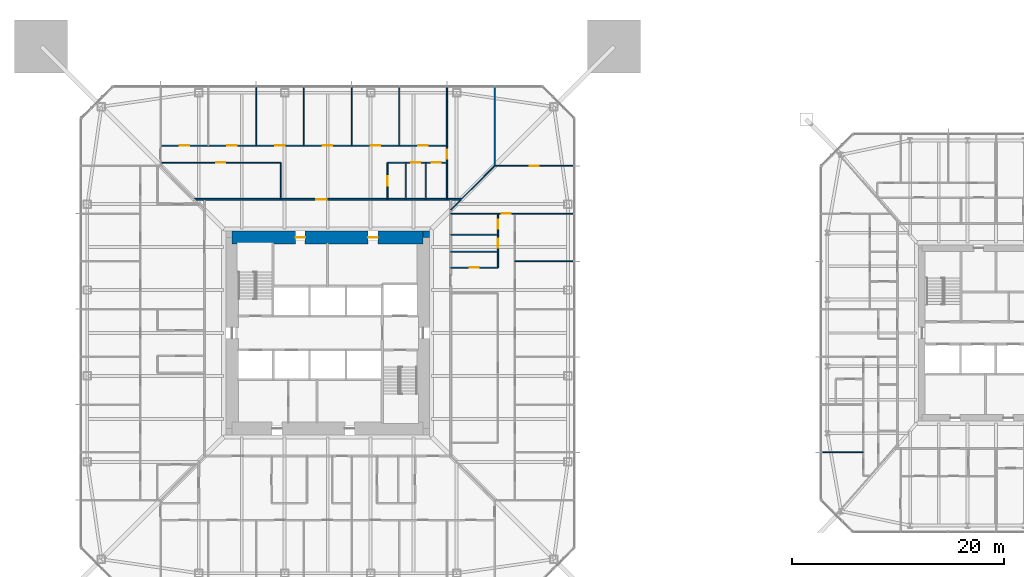
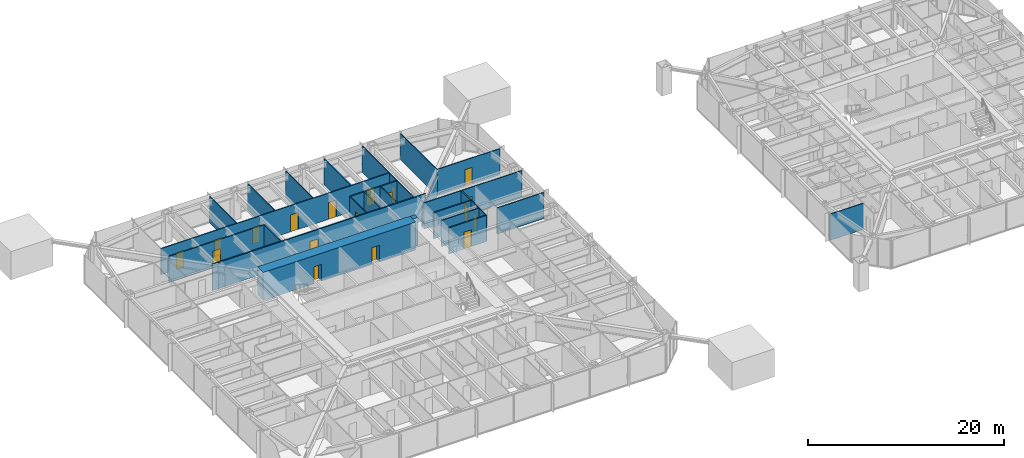
# One storey, part 17 of 26: 25 walls, 19 doors, 19 openings.
"""IFC4 building model written with IfcOpenShell, lengths in metres."""

from ifc_helpers import new_model, si_unit, direction, frame, frame_2d, origin, place, context, subcontext, project, spatial, rectangle, extrude, material, layer, layer_set, type_object, element, fill, save


model = new_model("IFC4")

# Units and contexts
model_context = context("Model", 3, precision=1e-05, world=origin(), true_north=direction((0.0, 1.0)))
body_context = subcontext(model_context, "Body", "Model", "MODEL_VIEW")
ifc_project = project(units=[si_unit("LENGTHUNIT", "METRE"), si_unit("AREAUNIT", "SQUARE_METRE"), si_unit("VOLUMEUNIT", "CUBIC_METRE"), si_unit("PLANEANGLEUNIT", "RADIAN"), si_unit("MASSUNIT", "GRAM", prefix="KILO")], contexts=[model_context])

# Site, building, storey
site_placement = place(None, origin())
site = spatial("IfcSite", under=ifc_project, at=site_placement, CompositionType="ELEMENT")
building_placement = place(site_placement, origin())
building = spatial("IfcBuilding", under=site, at=building_placement, Name="Iwan Alto Co-Living Towers", CompositionType="ELEMENT")
storey_placement = place(building_placement, frame((0.0, 0.0, 60.5)))
storey = spatial("IfcBuildingStorey", under=building, at=storey_placement, Name="L16", CompositionType="ELEMENT", Elevation=60.5)

# Wall, opening, door
ifc_material_1 = material(Name="Gypsum board")
ifc_layer_1 = layer(ifc_material_1, 0.02490234375, Name="Board", Category="Finish")
ifc_material_2 = material(Name="Steel ASTM A1003 ST33H cold-formed studs", Category="steel")
ifc_layer_2 = layer(ifc_material_2, 0.10009765625, Name="Studs", Category="Framing")
ifc_layer_3 = layer(ifc_material_1, 0.02490234375, Name="Board", Category="Finish")
ifc_layer_set_1 = layer_set([ifc_layer_1, ifc_layer_2, ifc_layer_3], Name="CORRIDOR WALL 150")
wall_type_1 = type_object("IfcWallType", Name="CORRIDOR WALL 150", PredefinedType="PARTITIONING", material=ifc_layer_set_1)
wall_1_placement = place(storey_placement, frame((-12.60009765625, 12.60009765625, 0.0), z_axis=(0.0, 0.0, 1.0), x_axis=(1.0, 0.0, 0.0)))
wall_1 = element("IfcWall", 1, at=wall_1_placement, inside=storey, type_object=wall_type_1, Name="Partition L16", PredefinedType="PARTITIONING", context=body_context, shape_type="SweptSolid", body=[
    extrude(rectangle(XDim=25.2001953125, YDim=0.14990234375, at=frame_2d((12.60009765625, 0.0))), origin(), (0.0, 0.0, 1.0), 3.27001953125),
])
opening_1_placement = place(wall_1_placement, frame((11.5048828125, 0.0, 0.0)))
opening_1 = element("IfcOpeningElement", 2, at=opening_1_placement, cuts=wall_1, Name="Opening D3", PredefinedType="OPENING", context=body_context, shape_type="SweptSolid", body=[
    extrude(rectangle(XDim=1.0, YDim=2.10009765625, at=frame_2d((0.5, 1.050048828125))), frame((0.0, 0.0849609375, 0.0), z_axis=(0.0, -1.0, 0.0), x_axis=(1.0, 0.0, 0.0)), (0.0, 0.0, 1.0), 0.169921875),
])
ifc_material_3 = material(Name="Steel frame with timber leaf", Category="steel")
door_type_1 = type_object("IfcDoorType", Name="FLAT ENTRANCE DOOR FD30S 1000X2100", OperationType="SINGLE_SWING_LEFT", PredefinedType="DOOR", material=ifc_material_3)
door_1_placement = place(opening_1_placement, origin())
door_1 = element("IfcDoor", 3, at=door_1_placement, inside=storey, type_object=door_type_1, Name="Cluster lounge door L16", OperationType="SINGLE_SWING_LEFT", OverallHeight=2.10009765625, OverallWidth=1.0, PredefinedType="DOOR", context=body_context, shape_type="SweptSolid", body=[
    extrude(rectangle(XDim=1.0, YDim=2.10009765625, at=frame_2d((0.5, 1.050048828125))), frame((0.0, 0.02490234375, 0.0), z_axis=(0.0, -1.0, 0.0), x_axis=(1.0, 0.0, 0.0)), (0.0, 0.0, 1.0), 0.050048828125),
])
fill(opening_1, door_1)

# Walls
ifc_layer_4 = layer(ifc_material_1, 0.012451171875, Name="Board", Category="Finish")
ifc_layer_5 = layer(ifc_material_2, 0.074951171875, Name="Studs", Category="Framing")
ifc_layer_6 = layer(ifc_material_1, 0.012451171875, Name="Board", Category="Finish")
ifc_layer_set_2 = layer_set([ifc_layer_4, ifc_layer_5, ifc_layer_6], Name="PARTITION 100")
wall_type_2 = type_object("IfcWallType", Name="PARTITION 100", PredefinedType="PARTITIONING", material=ifc_layer_set_2)
wall_2_placement = place(storey_placement, frame((46.56005859375, -11.25, 0.0), z_axis=(0.0, 0.0, 1.0), x_axis=(1.0, 0.0, 0.0)))
element("IfcWall", 4, at=wall_2_placement, inside=storey, type_object=wall_type_2, Name="Partition L16", PredefinedType="PARTITIONING", context=body_context, shape_type="SweptSolid", body=[
    extrude(rectangle(XDim=3.93994140625, YDim=0.10009765625, at=frame_2d((1.969970703125, 0.0))), origin(), (0.0, 0.0, 1.0), 3.27001953125),
])
wall_3_placement = place(storey_placement, frame((17.64990234375, 6.75, 0.0), z_axis=(0.0, 0.0, 1.0), x_axis=(1.0, 0.0, 0.0)))
element("IfcWall", 5, at=wall_3_placement, inside=storey, type_object=wall_type_2, Name="Partition L16", PredefinedType="PARTITIONING", context=body_context, shape_type="SweptSolid", body=[
    extrude(rectangle(XDim=5.5400390625, YDim=0.10009765625, at=frame_2d((2.77001953125, 0.0))), origin(), (0.0, 0.0, 1.0), 3.27001953125),
])

# Wall, opening, door
wall_4_placement = place(storey_placement, frame((11.60009765625, 11.25, 0.0), z_axis=(0.0, 0.0, 1.0), x_axis=(1.0, 0.0, 0.0)))
wall_4 = element("IfcWall", 6, at=wall_4_placement, inside=storey, type_object=wall_type_2, Name="Partition L16", PredefinedType="PARTITIONING", context=body_context, shape_type="SweptSolid", body=[
    extrude(rectangle(XDim=11.58984375, YDim=0.10009765625, at=frame_2d((5.794921875, 0.0))), origin(), (0.0, 0.0, 1.0), 3.27001953125),
])
opening_2_placement = place(wall_4_placement, frame((4.824951171875, 0.0, 0.0)))
opening_2 = element("IfcOpeningElement", 7, at=opening_2_placement, cuts=wall_4, Name="Opening D2", PredefinedType="OPENING", context=body_context, shape_type="SweptSolid", body=[
    extrude(rectangle(XDim=0.85009765625, YDim=2.10009765625, at=frame_2d((0.425048828125, 1.050048828125))), frame((0.0, 0.06005859375, 0.0), z_axis=(0.0, -1.0, 0.0), x_axis=(1.0, 0.0, 0.0)), (0.0, 0.0, 1.0), 0.1201171875),
])
ifc_material_4 = material(Name="Timber leaf in steel frame", Category="steel")
door_type_2 = type_object("IfcDoorType", Name="ROOM DOOR 850X2100", OperationType="SINGLE_SWING_LEFT", PredefinedType="DOOR", material=ifc_material_4)
door_2_placement = place(opening_2_placement, frame((0.85009765625, 0.0, 0.0), z_axis=(0.0, 0.0, 1.0), x_axis=(-1.0, 0.0, 0.0)))
door_2 = element("IfcDoor", 8, at=door_2_placement, inside=storey, type_object=door_type_2, Name="Teaching kitchen door L16", OperationType="SINGLE_SWING_RIGHT", OverallHeight=2.10009765625, OverallWidth=0.85009765625, PredefinedType="DOOR", context=body_context, shape_type="SweptSolid", body=[
    extrude(rectangle(XDim=0.85009765625, YDim=2.10009765625, at=frame_2d((0.425048828125, 1.050048828125))), frame((0.0, 0.02490234375, 0.0), z_axis=(0.0, -1.0, 0.0), x_axis=(1.0, 0.0, 0.0)), (0.0, 0.0, 1.0), 0.050048828125),
])
fill(opening_2, door_2)

wall_5_placement = place(storey_placement, frame((15.75, 15.75, 0.0), z_axis=(0.0, 0.0, 1.0), x_axis=(1.0, 0.0, 0.0)))
wall_5 = element("IfcWall", 9, at=wall_5_placement, inside=storey, type_object=wall_type_2, Name="Partition L16", PredefinedType="PARTITIONING", context=body_context, shape_type="SweptSolid", body=[
    extrude(rectangle(XDim=7.43994140625, YDim=0.10009765625, at=frame_2d((3.719970703125, 0.0))), origin(), (0.0, 0.0, 1.0), 3.27001953125),
])
opening_3_placement = place(wall_5_placement, frame((3.294921875, 0.0, 0.0)))
opening_3 = element("IfcOpeningElement", 10, at=opening_3_placement, cuts=wall_5, Name="Opening D2", PredefinedType="OPENING", context=body_context, shape_type="SweptSolid", body=[
    extrude(rectangle(XDim=0.85009765625, YDim=2.10009765625, at=frame_2d((0.425048828125, 1.050048828125))), frame((0.0, 0.06005859375, 0.0), z_axis=(0.0, -1.0, 0.0), x_axis=(1.0, 0.0, 0.0)), (0.0, 0.0, 1.0), 0.1201171875),
])
door_3_placement = place(opening_3_placement, origin())
door_3 = element("IfcDoor", 11, at=door_3_placement, inside=storey, type_object=door_type_2, Name="Shared kitchen and lounge door L16", OperationType="SINGLE_SWING_LEFT", OverallHeight=2.10009765625, OverallWidth=0.85009765625, PredefinedType="DOOR", context=body_context, shape_type="SweptSolid", body=[
    extrude(rectangle(XDim=0.85009765625, YDim=2.10009765625, at=frame_2d((0.425048828125, 1.050048828125))), frame((0.0, 0.02490234375, 0.0), z_axis=(0.0, -1.0, 0.0), x_axis=(1.0, 0.0, 0.0)), (0.0, 0.0, 1.0), 0.050048828125),
])
fill(opening_3, door_3)

wall_6_placement = place(storey_placement, frame((-15.75, 16.050048828125, 0.0), z_axis=(0.0, 0.0, 1.0), x_axis=(1.0, 0.0, 0.0)))
wall_6 = element("IfcWall", 12, at=wall_6_placement, inside=storey, type_object=wall_type_2, Name="Partition L16", PredefinedType="PARTITIONING", context=body_context, shape_type="SweptSolid", body=[
    extrude(rectangle(XDim=11.31005859375, YDim=0.10009765625, at=frame_2d((5.655029296875, 0.0))), origin(), (0.0, 0.0, 1.0), 3.27001953125),
])
opening_4_placement = place(wall_6_placement, frame((5.22998046875, 0.0, 0.0)))
opening_4 = element("IfcOpeningElement", 13, at=opening_4_placement, cuts=wall_6, Name="Opening D2", PredefinedType="OPENING", context=body_context, shape_type="SweptSolid", body=[
    extrude(rectangle(XDim=0.85009765625, YDim=2.10009765625, at=frame_2d((0.425048828125, 1.050048828125))), frame((0.0, 0.06005859375, 0.0), z_axis=(0.0, -1.0, 0.0), x_axis=(1.0, 0.0, 0.0)), (0.0, 0.0, 1.0), 0.1201171875),
])
door_4_placement = place(opening_4_placement, origin())
door_4 = element("IfcDoor", 14, at=door_4_placement, inside=storey, type_object=door_type_2, Name="Study room door L16", OperationType="SINGLE_SWING_LEFT", OverallHeight=2.10009765625, OverallWidth=0.85009765625, PredefinedType="DOOR", context=body_context, shape_type="SweptSolid", body=[
    extrude(rectangle(XDim=0.85009765625, YDim=2.10009765625, at=frame_2d((0.425048828125, 1.050048828125))), frame((0.0, 0.02490234375, 0.0), z_axis=(0.0, -1.0, 0.0), x_axis=(1.0, 0.0, 0.0)), (0.0, 0.0, 1.0), 0.050048828125),
])
fill(opening_4, door_4)

# Wall, openings, doors
wall_7_placement = place(storey_placement, frame((-15.75, 17.64990234375, 0.0), z_axis=(0.0, 0.0, 1.0), x_axis=(1.0, 0.0, 0.0)))
wall_7 = element("IfcWall", 15, at=wall_7_placement, inside=storey, type_object=wall_type_2, Name="Partition L16", PredefinedType="PARTITIONING", context=body_context, shape_type="SweptSolid", body=[
    extrude(rectangle(XDim=27.0, YDim=0.10009765625, at=frame_2d((13.5, 0.0))), origin(), (0.0, 0.0, 1.0), 3.27001953125),
])
opening_5_placement = place(wall_7_placement, frame((24.300048828125, 0.0, 0.0)))
opening_5 = element("IfcOpeningElement", 16, at=opening_5_placement, cuts=wall_7, Name="Opening D1", PredefinedType="OPENING", context=body_context, shape_type="SweptSolid", body=[
    extrude(rectangle(XDim=0.89990234375, YDim=2.10009765625, at=frame_2d((0.449951171875, 1.050048828125))), frame((0.0, 0.06005859375, 0.0), z_axis=(0.0, -1.0, 0.0), x_axis=(1.0, 0.0, 0.0)), (0.0, 0.0, 1.0), 0.1201171875),
])
opening_6_placement = place(wall_7_placement, frame((19.800048828125, 0.0, 0.0)))
opening_6 = element("IfcOpeningElement", 17, at=opening_6_placement, cuts=wall_7, Name="Opening D1", PredefinedType="OPENING", context=body_context, shape_type="SweptSolid", body=[
    extrude(rectangle(XDim=0.89990234375, YDim=2.10009765625, at=frame_2d((0.449951171875, 1.050048828125))), frame((0.0, 0.06005859375, 0.0), z_axis=(0.0, -1.0, 0.0), x_axis=(1.0, 0.0, 0.0)), (0.0, 0.0, 1.0), 0.1201171875),
])
opening_7_placement = place(wall_7_placement, frame((15.300048828125, 0.0, 0.0)))
opening_7 = element("IfcOpeningElement", 18, at=opening_7_placement, cuts=wall_7, Name="Opening D1", PredefinedType="OPENING", context=body_context, shape_type="SweptSolid", body=[
    extrude(rectangle(XDim=0.89990234375, YDim=2.10009765625, at=frame_2d((0.449951171875, 1.050048828125))), frame((0.0, 0.06005859375, 0.0), z_axis=(0.0, -1.0, 0.0), x_axis=(1.0, 0.0, 0.0)), (0.0, 0.0, 1.0), 0.1201171875),
])
opening_8_placement = place(wall_7_placement, frame((10.800048828125, 0.0, 0.0)))
opening_8 = element("IfcOpeningElement", 19, at=opening_8_placement, cuts=wall_7, Name="Opening D1", PredefinedType="OPENING", context=body_context, shape_type="SweptSolid", body=[
    extrude(rectangle(XDim=0.89990234375, YDim=2.10009765625, at=frame_2d((0.449951171875, 1.050048828125))), frame((0.0, 0.06005859375, 0.0), z_axis=(0.0, -1.0, 0.0), x_axis=(1.0, 0.0, 0.0)), (0.0, 0.0, 1.0), 0.1201171875),
])
opening_9_placement = place(wall_7_placement, frame((6.300048828125, 0.0, 0.0)))
opening_9 = element("IfcOpeningElement", 20, at=opening_9_placement, cuts=wall_7, Name="Opening D1", PredefinedType="OPENING", context=body_context, shape_type="SweptSolid", body=[
    extrude(rectangle(XDim=0.89990234375, YDim=2.10009765625, at=frame_2d((0.449951171875, 1.050048828125))), frame((0.0, 0.06005859375, 0.0), z_axis=(0.0, -1.0, 0.0), x_axis=(1.0, 0.0, 0.0)), (0.0, 0.0, 1.0), 0.1201171875),
])
opening_10_placement = place(wall_7_placement, frame((1.800048828125, 0.0, 0.0)))
opening_10 = element("IfcOpeningElement", 21, at=opening_10_placement, cuts=wall_7, Name="Opening D1", PredefinedType="OPENING", context=body_context, shape_type="SweptSolid", body=[
    extrude(rectangle(XDim=0.89990234375, YDim=2.10009765625, at=frame_2d((0.449951171875, 1.050048828125))), frame((0.0, 0.06005859375, 0.0), z_axis=(0.0, -1.0, 0.0), x_axis=(1.0, 0.0, 0.0)), (0.0, 0.0, 1.0), 0.1201171875),
])
ifc_material_5 = material(Name="Timber leaf in steel frame", Category="steel")
door_type_3 = type_object("IfcDoorType", Name="BEDROOM DOOR 900X2100", OperationType="SINGLE_SWING_LEFT", PredefinedType="DOOR", material=ifc_material_5)
door_5_placement = place(opening_5_placement, frame((0.89990234375, 0.0, 0.0), z_axis=(0.0, 0.0, 1.0), x_axis=(-1.0, 0.0, 0.0)))
door_5 = element("IfcDoor", 22, at=door_5_placement, inside=storey, type_object=door_type_3, Name="Study bedroom door L16", OperationType="SINGLE_SWING_LEFT", OverallHeight=2.10009765625, OverallWidth=0.89990234375, PredefinedType="DOOR", context=body_context, shape_type="SweptSolid", body=[
    extrude(rectangle(XDim=0.89990234375, YDim=2.10009765625, at=frame_2d((0.449951171875, 1.050048828125))), frame((0.0, 0.02490234375, 0.0), z_axis=(0.0, -1.0, 0.0), x_axis=(1.0, 0.0, 0.0)), (0.0, 0.0, 1.0), 0.050048828125),
])
fill(opening_5, door_5)
door_6_placement = place(opening_6_placement, frame((0.89990234375, 0.0, 0.0), z_axis=(0.0, 0.0, 1.0), x_axis=(-1.0, 0.0, 0.0)))
door_6 = element("IfcDoor", 23, at=door_6_placement, inside=storey, type_object=door_type_3, Name="Study bedroom door L16", OperationType="SINGLE_SWING_LEFT", OverallHeight=2.10009765625, OverallWidth=0.89990234375, PredefinedType="DOOR", context=body_context, shape_type="SweptSolid", body=[
    extrude(rectangle(XDim=0.89990234375, YDim=2.10009765625, at=frame_2d((0.449951171875, 1.050048828125))), frame((0.0, 0.02490234375, 0.0), z_axis=(0.0, -1.0, 0.0), x_axis=(1.0, 0.0, 0.0)), (0.0, 0.0, 1.0), 0.050048828125),
])
fill(opening_6, door_6)
door_7_placement = place(opening_7_placement, frame((0.89990234375, 0.0, 0.0), z_axis=(0.0, 0.0, 1.0), x_axis=(-1.0, 0.0, 0.0)))
door_7 = element("IfcDoor", 24, at=door_7_placement, inside=storey, type_object=door_type_3, Name="Study bedroom door L16", OperationType="SINGLE_SWING_LEFT", OverallHeight=2.10009765625, OverallWidth=0.89990234375, PredefinedType="DOOR", context=body_context, shape_type="SweptSolid", body=[
    extrude(rectangle(XDim=0.89990234375, YDim=2.10009765625, at=frame_2d((0.449951171875, 1.050048828125))), frame((0.0, 0.02490234375, 0.0), z_axis=(0.0, -1.0, 0.0), x_axis=(1.0, 0.0, 0.0)), (0.0, 0.0, 1.0), 0.050048828125),
])
fill(opening_7, door_7)
door_8_placement = place(opening_8_placement, frame((0.89990234375, 0.0, 0.0), z_axis=(0.0, 0.0, 1.0), x_axis=(-1.0, 0.0, 0.0)))
door_8 = element("IfcDoor", 25, at=door_8_placement, inside=storey, type_object=door_type_3, Name="Study bedroom door L16", OperationType="SINGLE_SWING_RIGHT", OverallHeight=2.10009765625, OverallWidth=0.89990234375, PredefinedType="DOOR", context=body_context, shape_type="SweptSolid", body=[
    extrude(rectangle(XDim=0.89990234375, YDim=2.10009765625, at=frame_2d((0.449951171875, 1.050048828125))), frame((0.0, 0.02490234375, 0.0), z_axis=(0.0, -1.0, 0.0), x_axis=(1.0, 0.0, 0.0)), (0.0, 0.0, 1.0), 0.050048828125),
])
fill(opening_8, door_8)
door_9_placement = place(opening_9_placement, frame((0.89990234375, 0.0, 0.0), z_axis=(0.0, 0.0, 1.0), x_axis=(-1.0, 0.0, 0.0)))
door_9 = element("IfcDoor", 26, at=door_9_placement, inside=storey, type_object=door_type_3, Name="Study bedroom door L16", OperationType="SINGLE_SWING_RIGHT", OverallHeight=2.10009765625, OverallWidth=0.89990234375, PredefinedType="DOOR", context=body_context, shape_type="SweptSolid", body=[
    extrude(rectangle(XDim=0.89990234375, YDim=2.10009765625, at=frame_2d((0.449951171875, 1.050048828125))), frame((0.0, 0.02490234375, 0.0), z_axis=(0.0, -1.0, 0.0), x_axis=(1.0, 0.0, 0.0)), (0.0, 0.0, 1.0), 0.050048828125),
])
fill(opening_9, door_9)
door_10_placement = place(opening_10_placement, frame((0.89990234375, 0.0, 0.0), z_axis=(0.0, 0.0, 1.0), x_axis=(-1.0, 0.0, 0.0)))
door_10 = element("IfcDoor", 27, at=door_10_placement, inside=storey, type_object=door_type_3, Name="Study bedroom door L16", OperationType="SINGLE_SWING_RIGHT", OverallHeight=2.10009765625, OverallWidth=0.89990234375, PredefinedType="DOOR", context=body_context, shape_type="SweptSolid", body=[
    extrude(rectangle(XDim=0.89990234375, YDim=2.10009765625, at=frame_2d((0.449951171875, 1.050048828125))), frame((0.0, 0.02490234375, 0.0), z_axis=(0.0, -1.0, 0.0), x_axis=(1.0, 0.0, 0.0)), (0.0, 0.0, 1.0), 0.050048828125),
])
fill(opening_10, door_10)

# Walls
wall_8_placement = place(storey_placement, frame((11.60009765625, 11.60009765625, 0.0), z_axis=(0.0, 0.0, 1.0), x_axis=(0.707106781187, 0.707106781187, 0.0)))
element("IfcWall", 28, at=wall_8_placement, inside=storey, type_object=wall_type_2, Name="Partition L16", PredefinedType="PARTITIONING", context=body_context, shape_type="SweptSolid", body=[
    extrude(rectangle(XDim=5.868896484375, YDim=0.10009765625, at=frame_2d((2.9345703125, 0.0))), origin(), (0.0, 0.0, 1.0), 2.343017578125),
])
wall_9_placement = place(storey_placement, frame((15.75, 15.75, 0.0), z_axis=(0.0, 0.0, 1.0), x_axis=(0.0, 1.0, 0.0)))
element("IfcWall", 29, at=wall_9_placement, inside=storey, type_object=wall_type_2, Name="Partition L16", PredefinedType="PARTITIONING", context=body_context, shape_type="SweptSolid", body=[
    extrude(rectangle(XDim=7.43994140625, YDim=0.10009765625, at=frame_2d((3.719970703125, 0.0))), origin(), (0.0, 0.0, 1.0), 3.27001953125),
])

# Wall, opening, door
wall_10_placement = place(storey_placement, frame((11.25, 12.60009765625, 0.0), z_axis=(0.0, 0.0, 1.0), x_axis=(0.0, 1.0, 0.0)))
wall_10 = element("IfcWall", 30, at=wall_10_placement, inside=storey, type_object=wall_type_2, Name="Partition L16", PredefinedType="PARTITIONING", context=body_context, shape_type="SweptSolid", body=[
    extrude(rectangle(XDim=10.58984375, YDim=0.10009765625, at=frame_2d((5.294921875, 0.0))), origin(), (0.0, 0.0, 1.0), 3.27001953125),
])
opening_11_placement = place(wall_10_placement, frame((3.824951171875, 0.0, 0.0)))
opening_11 = element("IfcOpeningElement", 31, at=opening_11_placement, cuts=wall_10, Name="Opening D2", PredefinedType="OPENING", context=body_context, shape_type="SweptSolid", body=[
    extrude(rectangle(XDim=0.85009765625, YDim=2.10009765625, at=frame_2d((0.425048828125, 1.050048828125))), frame((0.0, 0.06005859375, 0.0), z_axis=(0.0, -1.0, 0.0), x_axis=(1.0, 0.0, 0.0)), (0.0, 0.0, 1.0), 0.1201171875),
])
door_11_placement = place(opening_11_placement, origin())
door_11 = element("IfcDoor", 32, at=door_11_placement, inside=storey, type_object=door_type_2, Name="Teaching kitchen door L16", OperationType="SINGLE_SWING_LEFT", OverallHeight=2.10009765625, OverallWidth=0.85009765625, PredefinedType="DOOR", context=body_context, shape_type="SweptSolid", body=[
    extrude(rectangle(XDim=0.85009765625, YDim=2.10009765625, at=frame_2d((0.425048828125, 1.050048828125))), frame((0.0, 0.02490234375, 0.0), z_axis=(0.0, -1.0, 0.0), x_axis=(1.0, 0.0, 0.0)), (0.0, 0.0, 1.0), 0.050048828125),
])
fill(opening_11, door_11)

# Walls
for number, where, z_axis, x_axis, name in (
    (33, (6.75, 17.64990234375, 0.0), (0.0, 0.0, 1.0), (0.0, 1.0, 0.0), "Partition L16"),
    (34, (2.25, 17.64990234375, 0.0), (0.0, 0.0, 1.0), (0.0, 1.0, 0.0), "Partition L16"),
    (35, (-2.25, 17.64990234375, 0.0), (0.0, 0.0, 1.0), (0.0, 1.0, 0.0), "Partition L16"),
):
    element("IfcWall", number, at=place(storey_placement, frame(where, z_axis=z_axis, x_axis=x_axis)), inside=storey, type_object=wall_type_2, Name=name, PredefinedType="PARTITIONING", context=body_context, shape_type="SweptSolid", body=[
        extrude(rectangle(XDim=5.5400390625, YDim=0.10009765625, at=frame_2d((2.77001953125, 0.0))), origin(), (0.0, 0.0, 1.0), 3.27001953125),
    ])
wall_11_placement = place(storey_placement, frame((-4.43994140625, 12.60009765625, 0.0), z_axis=(0.0, 0.0, 1.0), x_axis=(0.0, 1.0, 0.0)))
element("IfcWall", 36, at=wall_11_placement, inside=storey, type_object=wall_type_2, Name="Partition L16", PredefinedType="PARTITIONING", context=body_context, shape_type="SweptSolid", body=[
    extrude(rectangle(XDim=3.449951171875, YDim=0.10009765625, at=frame_2d((1.72509765625, 0.0))), origin(), (0.0, 0.0, 1.0), 3.27001953125),
])
wall_12_placement = place(storey_placement, frame((-6.75, 17.64990234375, 0.0), z_axis=(0.0, 0.0, 1.0), x_axis=(0.0, 1.0, 0.0)))
element("IfcWall", 37, at=wall_12_placement, inside=storey, type_object=wall_type_2, Name="Partition L16", PredefinedType="PARTITIONING", context=body_context, shape_type="SweptSolid", body=[
    extrude(rectangle(XDim=5.5400390625, YDim=0.10009765625, at=frame_2d((2.77001953125, 0.0))), origin(), (0.0, 0.0, 1.0), 3.27001953125),
])
ifc_material_6 = material(Name="Concrete f'c 70 MPa", Category="concrete")
ifc_layer_7 = layer(ifc_material_6, 0.60009765625)
ifc_layer_set_3 = layer_set([ifc_layer_7], Name="T1 CORE CORNER FILL 600")
wall_type_3 = type_object("IfcWallType", Name="T1 CORE CORNER FILL 600", PredefinedType="SOLIDWALL", material=ifc_layer_set_3)
wall_13_placement = place(storey_placement, frame((9.0, 9.300048828125, 0.0), z_axis=(0.0, 0.0, 1.0), x_axis=(1.0, 0.0, 0.0)))
element("IfcWall", 38, at=wall_13_placement, inside=storey, type_object=wall_type_3, Name="T1 core corner NE L16", PredefinedType="SOLIDWALL", context=body_context, shape_type="SweptSolid", body=[
    extrude(rectangle(XDim=0.60009765625, YDim=0.60009765625, at=frame_2d((0.300048828125, 0.0))), origin(), (0.0, 0.0, 1.0), 3.5),
])

# Wall, openings, doors
ifc_material_7 = material(Name="Concrete f'c 70 MPa", Category="concrete")
ifc_layer_8 = layer(ifc_material_7, 1.199951171875)
ifc_layer_set_4 = layer_set([ifc_layer_8], Name="T1 CORE WALL 1200")
wall_type_4 = type_object("IfcWallType", Name="T1 CORE WALL 1200", PredefinedType="SHEAR", material=ifc_layer_set_4)
wall_14_placement = place(storey_placement, frame((9.0, 9.0, 0.0), z_axis=(0.0, 0.0, 1.0), x_axis=(-1.0, 0.0, 0.0)))
wall_14 = element("IfcWall", 39, at=wall_14_placement, inside=storey, type_object=wall_type_4, Name="T1 core wall N L16", PredefinedType="SHEAR", context=body_context, shape_type="SweptSolid", body=[
    extrude(rectangle(XDim=18.0, YDim=1.199951171875, at=frame_2d((9.0, 0.0))), origin(), (0.0, 0.0, 1.0), 3.5),
])
opening_12_placement = place(wall_14_placement, frame((11.125, 0.0, 0.0)))
opening_12 = element("IfcOpeningElement", 40, at=opening_12_placement, cuts=wall_14, Name="Opening D8", PredefinedType="OPENING", context=body_context, shape_type="SweptSolid", body=[
    extrude(rectangle(XDim=0.89990234375, YDim=2.10009765625, at=frame_2d((0.449951171875, 1.050048828125))), frame((0.0, 0.60986328125, 0.0), z_axis=(0.0, -1.0, 0.0), x_axis=(1.0, 0.0, 0.0)), (0.0, 0.0, 1.0), 1.219970703125),
])
opening_13_placement = place(wall_14_placement, frame((4.27490234375, 0.0, 0.0)))
opening_13 = element("IfcOpeningElement", 41, at=opening_13_placement, cuts=wall_14, Name="Opening D8", PredefinedType="OPENING", context=body_context, shape_type="SweptSolid", body=[
    extrude(rectangle(XDim=0.89990234375, YDim=2.10009765625, at=frame_2d((0.449951171875, 1.050048828125))), frame((0.0, 0.60986328125, 0.0), z_axis=(0.0, -1.0, 0.0), x_axis=(1.0, 0.0, 0.0)), (0.0, 0.0, 1.0), 1.219970703125),
])
ifc_material_8 = material(Name="Steel frame with timber leaf", Category="steel")
door_type_4 = type_object("IfcDoorType", Name="RISER DOOR FD120 900X2100", OperationType="SINGLE_SWING_LEFT", PredefinedType="DOOR", material=ifc_material_8)
door_12_placement = place(opening_12_placement, origin())
door_12 = element("IfcDoor", 42, at=door_12_placement, inside=storey, type_object=door_type_4, Name="Electrical riser core door L16", OperationType="SINGLE_SWING_RIGHT", OverallHeight=2.10009765625, OverallWidth=0.89990234375, PredefinedType="DOOR", context=body_context, shape_type="SweptSolid", body=[
    extrude(rectangle(XDim=0.89990234375, YDim=2.10009765625, at=frame_2d((0.449951171875, 1.050048828125))), frame((0.0, 0.02490234375, 0.0), z_axis=(0.0, -1.0, 0.0), x_axis=(1.0, 0.0, 0.0)), (0.0, 0.0, 1.0), 0.050048828125),
])
fill(opening_12, door_12)
door_13_placement = place(opening_13_placement, origin())
door_13 = element("IfcDoor", 43, at=door_13_placement, inside=storey, type_object=door_type_4, Name="Water and drainage riser core door L16", OperationType="SINGLE_SWING_RIGHT", OverallHeight=2.10009765625, OverallWidth=0.89990234375, PredefinedType="DOOR", context=body_context, shape_type="SweptSolid", body=[
    extrude(rectangle(XDim=0.89990234375, YDim=2.10009765625, at=frame_2d((0.449951171875, 1.050048828125))), frame((0.0, 0.02490234375, 0.0), z_axis=(0.0, -1.0, 0.0), x_axis=(1.0, 0.0, 0.0)), (0.0, 0.0, 1.0), 0.050048828125),
])
fill(opening_13, door_13)

# Wall, opening, door
ifc_material_9 = material(Name="Cement board")
ifc_layer_9 = layer(ifc_material_9, 0.012451171875, Name="Board", Category="Finish")
ifc_layer_10 = layer(ifc_material_2, 0.094970703125, Name="Studs", Category="Framing")
ifc_layer_11 = layer(ifc_material_9, 0.012451171875, Name="Board", Category="Finish")
ifc_layer_set_5 = layer_set([ifc_layer_9, ifc_layer_10, ifc_layer_11], Name="WET AREA PARTITION 120")
wall_type_5 = type_object("IfcWallType", Name="WET AREA PARTITION 120", PredefinedType="PARTITIONING", material=ifc_layer_set_5)
wall_15_placement = place(storey_placement, frame((11.60009765625, 6.14990234375, 0.0), z_axis=(0.0, 0.0, 1.0), x_axis=(1.0, 0.0, 0.0)))
wall_15 = element("IfcWall", 44, at=wall_15_placement, inside=storey, type_object=wall_type_5, Name="Partition L16", PredefinedType="PARTITIONING", context=body_context, shape_type="SweptSolid", body=[
    extrude(rectangle(XDim=4.449951171875, YDim=0.1201171875, at=frame_2d((2.22509765625, 0.0))), origin(), (0.0, 0.0, 1.0), 3.27001953125),
])
opening_14_placement = place(wall_15_placement, frame((1.800048828125, 0.0, 0.0)))
opening_14 = element("IfcOpeningElement", 45, at=opening_14_placement, cuts=wall_15, Name="Opening D2", PredefinedType="OPENING", context=body_context, shape_type="SweptSolid", body=[
    extrude(rectangle(XDim=0.85009765625, YDim=2.10009765625, at=frame_2d((0.425048828125, 1.050048828125))), frame((0.0, 0.070068359375, 0.0), z_axis=(0.0, -1.0, 0.0), x_axis=(1.0, 0.0, 0.0)), (0.0, 0.0, 1.0), 0.14013671875),
])
door_14_placement = place(opening_14_placement, frame((0.85009765625, 0.0, 0.0), z_axis=(0.0, 0.0, 1.0), x_axis=(-1.0, 0.0, 0.0)))
door_14 = element("IfcDoor", 46, at=door_14_placement, inside=storey, type_object=door_type_2, Name="Bathroom door L16", OperationType="SINGLE_SWING_RIGHT", OverallHeight=2.10009765625, OverallWidth=0.85009765625, PredefinedType="DOOR", context=body_context, shape_type="SweptSolid", body=[
    extrude(rectangle(XDim=0.85009765625, YDim=2.10009765625, at=frame_2d((0.425048828125, 1.050048828125))), frame((0.0, 0.02490234375, 0.0), z_axis=(0.0, -1.0, 0.0), x_axis=(1.0, 0.0, 0.0)), (0.0, 0.0, 1.0), 0.050048828125),
])
fill(opening_14, door_14)

# Walls
for number, where, z_axis, x_axis, name in (
    (47, (11.60009765625, 7.64990234375, 0.0), (0.0, 0.0, 1.0), (1.0, 0.0, 0.0), "Partition L16"),
    (48, (11.60009765625, 9.25, 0.0), (0.0, 0.0, 1.0), (1.0, 0.0, 0.0), "Partition L16"),
):
    element("IfcWall", number, at=place(storey_placement, frame(where, z_axis=z_axis, x_axis=x_axis)), inside=storey, type_object=wall_type_5, Name=name, PredefinedType="PARTITIONING", context=body_context, shape_type="SweptSolid", body=[
        extrude(rectangle(XDim=4.449951171875, YDim=0.1201171875, at=frame_2d((2.22509765625, 0.0))), origin(), (0.0, 0.0, 1.0), 3.27001953125),
    ])

# Wall, openings, doors
wall_16_placement = place(storey_placement, frame((5.64990234375, 16.050048828125, 0.0), z_axis=(0.0, 0.0, 1.0), x_axis=(1.0, 0.0, 0.0)))
wall_16 = element("IfcWall", 49, at=wall_16_placement, inside=storey, type_object=wall_type_5, Name="Partition L16", PredefinedType="PARTITIONING", context=body_context, shape_type="SweptSolid", body=[
    extrude(rectangle(XDim=5.60009765625, YDim=0.1201171875, at=frame_2d((2.800048828125, 0.0))), origin(), (0.0, 0.0, 1.0), 3.27001953125),
])
opening_15_placement = place(wall_16_placement, frame((4.175048828125, 0.0, 0.0)))
opening_15 = element("IfcOpeningElement", 50, at=opening_15_placement, cuts=wall_16, Name="Opening D2", PredefinedType="OPENING", context=body_context, shape_type="SweptSolid", body=[
    extrude(rectangle(XDim=0.85009765625, YDim=2.10009765625, at=frame_2d((0.425048828125, 1.050048828125))), frame((0.0, 0.070068359375, 0.0), z_axis=(0.0, -1.0, 0.0), x_axis=(1.0, 0.0, 0.0)), (0.0, 0.0, 1.0), 0.14013671875),
])
opening_16_placement = place(wall_16_placement, frame((2.22509765625, 0.0, 0.0)))
opening_16 = element("IfcOpeningElement", 51, at=opening_16_placement, cuts=wall_16, Name="Opening D2", PredefinedType="OPENING", context=body_context, shape_type="SweptSolid", body=[
    extrude(rectangle(XDim=0.85009765625, YDim=2.10009765625, at=frame_2d((0.425048828125, 1.050048828125))), frame((0.0, 0.070068359375, 0.0), z_axis=(0.0, -1.0, 0.0), x_axis=(1.0, 0.0, 0.0)), (0.0, 0.0, 1.0), 0.14013671875),
])
door_15_placement = place(opening_15_placement, origin())
door_15 = element("IfcDoor", 52, at=door_15_placement, inside=storey, type_object=door_type_2, Name="Laundry door L16", OperationType="SINGLE_SWING_RIGHT", OverallHeight=2.10009765625, OverallWidth=0.85009765625, PredefinedType="DOOR", context=body_context, shape_type="SweptSolid", body=[
    extrude(rectangle(XDim=0.85009765625, YDim=2.10009765625, at=frame_2d((0.425048828125, 1.050048828125))), frame((0.0, 0.02490234375, 0.0), z_axis=(0.0, -1.0, 0.0), x_axis=(1.0, 0.0, 0.0)), (0.0, 0.0, 1.0), 0.050048828125),
])
fill(opening_15, door_15)
door_16_placement = place(opening_16_placement, origin())
door_16 = element("IfcDoor", 53, at=door_16_placement, inside=storey, type_object=door_type_2, Name="Accessible bathroom door L16", OperationType="SINGLE_SWING_RIGHT", OverallHeight=2.10009765625, OverallWidth=0.85009765625, PredefinedType="DOOR", context=body_context, shape_type="SweptSolid", body=[
    extrude(rectangle(XDim=0.85009765625, YDim=2.10009765625, at=frame_2d((0.425048828125, 1.050048828125))), frame((0.0, 0.02490234375, 0.0), z_axis=(0.0, -1.0, 0.0), x_axis=(1.0, 0.0, 0.0)), (0.0, 0.0, 1.0), 0.050048828125),
])
fill(opening_16, door_16)

wall_17_placement = place(storey_placement, frame((16.050048828125, 6.14990234375, 0.0), z_axis=(0.0, 0.0, 1.0), x_axis=(0.0, 1.0, 0.0)))
wall_17 = element("IfcWall", 54, at=wall_17_placement, inside=storey, type_object=wall_type_5, Name="Partition L16", PredefinedType="PARTITIONING", context=body_context, shape_type="SweptSolid", body=[
    extrude(rectangle(XDim=5.10009765625, YDim=0.1201171875, at=frame_2d((2.550048828125, 0.0))), origin(), (0.0, 0.0, 1.0), 3.27001953125),
])
opening_17_placement = place(wall_17_placement, frame((1.875, 0.0, 0.0)))
opening_17 = element("IfcOpeningElement", 55, at=opening_17_placement, cuts=wall_17, Name="Opening D2", PredefinedType="OPENING", context=body_context, shape_type="SweptSolid", body=[
    extrude(rectangle(XDim=0.85009765625, YDim=2.10009765625, at=frame_2d((0.425048828125, 1.050048828125))), frame((0.0, 0.070068359375, 0.0), z_axis=(0.0, -1.0, 0.0), x_axis=(1.0, 0.0, 0.0)), (0.0, 0.0, 1.0), 0.14013671875),
])
opening_18_placement = place(wall_17_placement, frame((3.675048828125, 0.0, 0.0)))
opening_18 = element("IfcOpeningElement", 56, at=opening_18_placement, cuts=wall_17, Name="Opening D2", PredefinedType="OPENING", context=body_context, shape_type="SweptSolid", body=[
    extrude(rectangle(XDim=0.85009765625, YDim=2.10009765625, at=frame_2d((0.425048828125, 1.050048828125))), frame((0.0, 0.070068359375, 0.0), z_axis=(0.0, -1.0, 0.0), x_axis=(1.0, 0.0, 0.0)), (0.0, 0.0, 1.0), 0.14013671875),
])
door_17_placement = place(opening_17_placement, frame((0.85009765625, 0.0, 0.0), z_axis=(0.0, 0.0, 1.0), x_axis=(-1.0, 0.0, 0.0)))
door_17 = element("IfcDoor", 57, at=door_17_placement, inside=storey, type_object=door_type_2, Name="Accessible bathroom door L16", OperationType="SINGLE_SWING_LEFT", OverallHeight=2.10009765625, OverallWidth=0.85009765625, PredefinedType="DOOR", context=body_context, shape_type="SweptSolid", body=[
    extrude(rectangle(XDim=0.85009765625, YDim=2.10009765625, at=frame_2d((0.425048828125, 1.050048828125))), frame((0.0, 0.02490234375, 0.0), z_axis=(0.0, -1.0, 0.0), x_axis=(1.0, 0.0, 0.0)), (0.0, 0.0, 1.0), 0.050048828125),
])
fill(opening_17, door_17)
door_18_placement = place(opening_18_placement, frame((0.85009765625, 0.0, 0.0), z_axis=(0.0, 0.0, 1.0), x_axis=(-1.0, 0.0, 0.0)))
door_18 = element("IfcDoor", 58, at=door_18_placement, inside=storey, type_object=door_type_2, Name="Laundry door L16", OperationType="SINGLE_SWING_LEFT", OverallHeight=2.10009765625, OverallWidth=0.85009765625, PredefinedType="DOOR", context=body_context, shape_type="SweptSolid", body=[
    extrude(rectangle(XDim=0.85009765625, YDim=2.10009765625, at=frame_2d((0.425048828125, 1.050048828125))), frame((0.0, 0.02490234375, 0.0), z_axis=(0.0, -1.0, 0.0), x_axis=(1.0, 0.0, 0.0)), (0.0, 0.0, 1.0), 0.050048828125),
])
fill(opening_18, door_18)

# Walls
for number, where, z_axis, x_axis, name in (
    (59, (9.25, 12.60009765625, 0.0), (0.0, 0.0, 1.0), (0.0, 1.0, 0.0), "Partition L16"),
    (60, (7.35009765625, 12.60009765625, 0.0), (0.0, 0.0, 1.0), (0.0, 1.0, 0.0), "Partition L16"),
):
    element("IfcWall", number, at=place(storey_placement, frame(where, z_axis=z_axis, x_axis=x_axis)), inside=storey, type_object=wall_type_5, Name=name, PredefinedType="PARTITIONING", context=body_context, shape_type="SweptSolid", body=[
        extrude(rectangle(XDim=3.449951171875, YDim=0.1201171875, at=frame_2d((1.72509765625, 0.0))), origin(), (0.0, 0.0, 1.0), 3.27001953125),
    ])

# Wall, opening, door
wall_18_placement = place(storey_placement, frame((5.64990234375, 12.60009765625, 0.0), z_axis=(0.0, 0.0, 1.0), x_axis=(0.0, 1.0, 0.0)))
wall_18 = element("IfcWall", 61, at=wall_18_placement, inside=storey, type_object=wall_type_5, Name="Partition L16", PredefinedType="PARTITIONING", context=body_context, shape_type="SweptSolid", body=[
    extrude(rectangle(XDim=3.449951171875, YDim=0.1201171875, at=frame_2d((1.72509765625, 0.0))), origin(), (0.0, 0.0, 1.0), 3.27001953125),
])
opening_19_placement = place(wall_18_placement, frame((1.300048828125, 0.0, 0.0)))
opening_19 = element("IfcOpeningElement", 62, at=opening_19_placement, cuts=wall_18, Name="Opening D2", PredefinedType="OPENING", context=body_context, shape_type="SweptSolid", body=[
    extrude(rectangle(XDim=0.85009765625, YDim=2.10009765625, at=frame_2d((0.425048828125, 1.050048828125))), frame((0.0, 0.070068359375, 0.0), z_axis=(0.0, -1.0, 0.0), x_axis=(1.0, 0.0, 0.0)), (0.0, 0.0, 1.0), 0.14013671875),
])
door_19_placement = place(opening_19_placement, origin())
door_19 = element("IfcDoor", 63, at=door_19_placement, inside=storey, type_object=door_type_2, Name="Bathroom door L16", OperationType="SINGLE_SWING_LEFT", OverallHeight=2.10009765625, OverallWidth=0.85009765625, PredefinedType="DOOR", context=body_context, shape_type="SweptSolid", body=[
    extrude(rectangle(XDim=0.85009765625, YDim=2.10009765625, at=frame_2d((0.425048828125, 1.050048828125))), frame((0.0, 0.02490234375, 0.0), z_axis=(0.0, -1.0, 0.0), x_axis=(1.0, 0.0, 0.0)), (0.0, 0.0, 1.0), 0.050048828125),
])
fill(opening_19, door_19)

save(model, "model.ifc")
